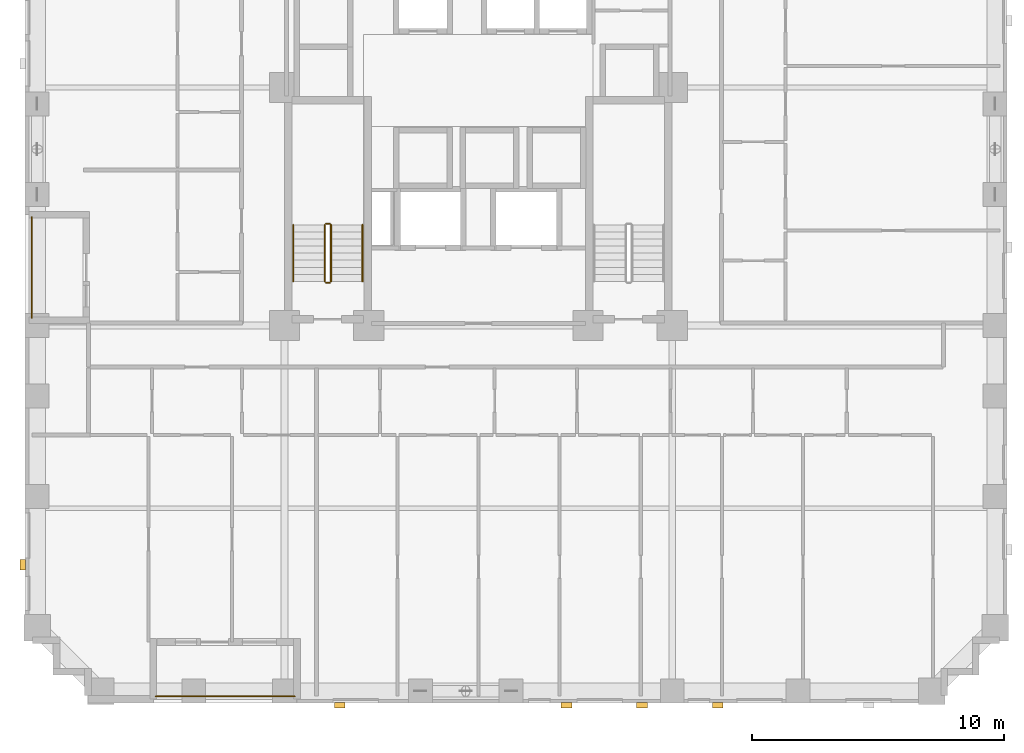
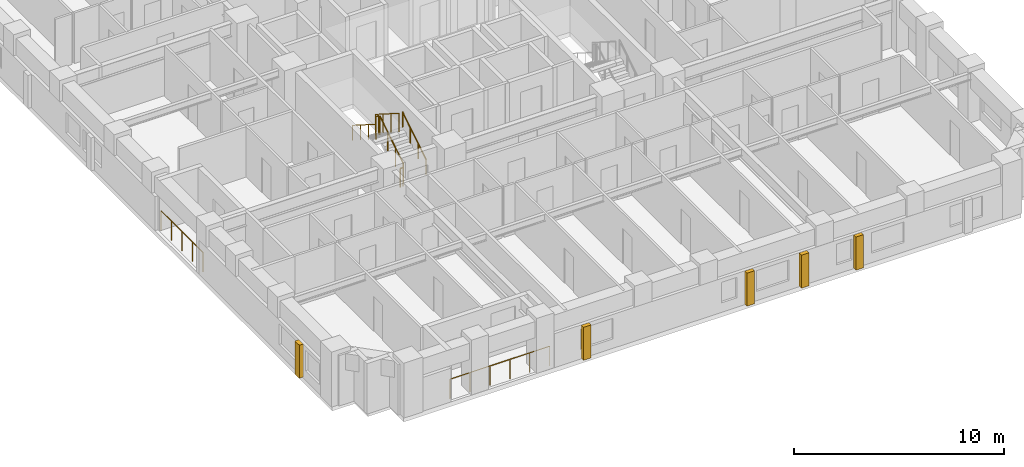
# One storey, part 12 of 14: 8 railings, 5 coverings.
"""IFC4 building model written with IfcOpenShell, lengths in metres."""

from ifc_helpers import new_model, si_unit, derived_unit, direction, frame, origin, origin_2d, place, context, subcontext, project, spatial, rectangle, circle, extrude, material, layer, layer_set, type_object, element, save


model = new_model("IFC4")

# Units and contexts
model_context = context("Model", 3, precision=1e-05, world=origin(), true_north=direction((0.0, 1.0)))
body_context = subcontext(model_context, "Body", "Model", "MODEL_VIEW")
ifc_project = project(units=[si_unit("LENGTHUNIT", "METRE"), si_unit("AREAUNIT", "SQUARE_METRE"), si_unit("VOLUMEUNIT", "CUBIC_METRE"), si_unit("PLANEANGLEUNIT", "RADIAN"), si_unit("MASSUNIT", "GRAM", prefix="KILO"), derived_unit("THERMALTRANSMITTANCEUNIT", [(si_unit("MASSUNIT", "GRAM", prefix="KILO"), 1), (si_unit("TIMEUNIT", "SECOND"), -3), (si_unit("THERMODYNAMICTEMPERATUREUNIT", "KELVIN"), -1)])], contexts=[model_context])

# Site, building, storey
site_placement = place(None, origin())
site = spatial("IfcSite", under=ifc_project, at=site_placement, CompositionType="ELEMENT")
building_placement = place(site_placement, origin())
building = spatial("IfcBuilding", under=site, at=building_placement, Name="Korrvale Station Residences", CompositionType="ELEMENT")
storey_placement = place(building_placement, frame((0.0, 0.0, 41.800048828125)))
storey = spatial("IfcBuildingStorey", under=building, at=storey_placement, Name="L10", CompositionType="ELEMENT", Elevation=41.800048828125)

# Coverings
ifc_material_1 = material(Name="Architectural precast concrete C45/55", Category="concrete")
ifc_layer = layer(ifc_material_1, 0.219970703125, Name="Architectural precast concrete C45/55")
ifc_layer_set = layer_set([ifc_layer], Name="Architectural precast concrete C45/55")
covering_type = type_object("IfcCoveringType", Name="COV-PIER-400", PredefinedType="CLADDING", material=ifc_layer_set)
for number, where, z_axis, x_axis, name in (
    (1, (35.0, -0.090087890625, 0.02490234375), (0.0, 0.0, 1.0), (1.0, 0.0, 0.0), "L10 Architectural Precast Facade Pier 02"),
    (2, (32.0, -0.090087890625, 0.02490234375), (0.0, 0.0, 1.0), (1.0, 0.0, 0.0), "L10 Architectural Precast Facade Pier 03"),
    (3, (29.0, -0.090087890625, 0.02490234375), (0.0, 0.0, 1.0), (1.0, 0.0, 0.0), "L10 Architectural Precast Facade Pier 04"),
    (4, (20.0, -0.090087890625, 0.02490234375), (0.0, 0.0, 1.0), (1.0, 0.0, 0.0), "L10 Architectural Precast Facade Pier 05"),
    (5, (7.409912109375, 5.5, 0.02490234375), (0.0, 0.0, 1.0), (0.0, 1.0, 0.0), "L10 Architectural Precast Facade Pier 12"),
):
    element("IfcCovering", number, at=place(storey_placement, frame(where, z_axis=z_axis, x_axis=x_axis)), inside=storey, type_object=covering_type, Name=name, PredefinedType="CLADDING", context=body_context, shape_type="SweptSolid", body=[
        extrude(rectangle(XDim=0.419921875, YDim=0.219970703125, at=origin_2d()), origin(), (0.0, 0.0, 1.0), 1.925048828125),
    ])

# Railings
ifc_material_2 = material(Name="Powder-coated aluminium picket loggia guard", Category="aluminium")
railing_type_1 = type_object("IfcRailingType", Name="RLG-BAL-1150", PredefinedType="GUARDRAIL", material=ifc_material_2)
railing_1_placement = place(storey_placement, frame((12.699951171875, 0.27001953125, 0.0)))
element("IfcRailing", 6, at=railing_1_placement, inside=storey, type_object=railing_type_1, Name="L10 Recessed Loggia Guardrail BAL-L10-S1", PredefinedType="GUARDRAIL", context=body_context, shape_type="SweptSolid", body=[
    extrude(circle(Radius=0.02392578125, at=origin_2d()), frame((0.0, 0.0, 1.1259765625), z_axis=(1.0, 0.0, 0.0), x_axis=(0.0, 1.0, 0.0)), (0.0, 0.0, 1.0), 5.5),
    extrude(circle(Radius=0.02099609375, at=origin_2d()), origin(), (0.0, 0.0, 1.0), 1.101806640625),
    extrude(circle(Radius=0.02099609375, at=origin_2d()), frame((1.10009765625, 0.0, 0.0)), (0.0, 0.0, 1.0), 1.101806640625),
    extrude(circle(Radius=0.02099609375, at=origin_2d()), frame((2.199951171875, 0.0, 0.0)), (0.0, 0.0, 1.0), 1.101806640625),
    extrude(circle(Radius=0.02099609375, at=origin_2d()), frame((3.300048828125, 0.0, 0.0)), (0.0, 0.0, 1.0), 1.101806640625),
    extrude(circle(Radius=0.02099609375, at=origin_2d()), frame((4.39990234375, 0.0, 0.0)), (0.0, 0.0, 1.0), 1.101806640625),
    extrude(circle(Radius=0.02099609375, at=origin_2d()), frame((5.5, 0.0, 0.0)), (0.0, 0.0, 1.0), 1.101806640625),
])
railing_2_placement = place(storey_placement, frame((7.77001953125, 15.300048828125, 0.0)))
element("IfcRailing", 7, at=railing_2_placement, inside=storey, type_object=railing_type_1, Name="L10 Recessed Loggia Guardrail BAL-L10-W1", PredefinedType="GUARDRAIL", context=body_context, shape_type="SweptSolid", body=[
    extrude(circle(Radius=0.02392578125, at=origin_2d()), frame((0.0, 0.0, 1.1259765625), z_axis=(0.0, 1.0, 0.0), x_axis=(-1.0, 0.0, 0.0)), (0.0, 0.0, 1.0), 4.0),
    extrude(circle(Radius=0.02099609375, at=origin_2d()), origin(), (0.0, 0.0, 1.0), 1.101806640625),
    extrude(circle(Radius=0.02099609375, at=origin_2d()), frame((0.0, 1.0, 0.0)), (0.0, 0.0, 1.0), 1.101806640625),
    extrude(circle(Radius=0.02099609375, at=origin_2d()), frame((0.0, 2.0, 0.0)), (0.0, 0.0, 1.0), 1.101806640625),
    extrude(circle(Radius=0.02099609375, at=origin_2d()), frame((0.0, 3.0, 0.0)), (0.0, 0.0, 1.0), 1.101806640625),
    extrude(circle(Radius=0.02099609375, at=origin_2d()), frame((0.0, 4.0, 0.0)), (0.0, 0.0, 1.0), 1.101806640625),
])
ifc_material_3 = material(Name="Brushed stainless-steel continuous stair handrail", Category="steel")
railing_type_2 = type_object("IfcRailingType", Name="RLG-SHND-900", PredefinedType="HANDRAIL", material=ifc_material_3)
railing_3_placement = place(storey_placement, frame((20.89990234375, 16.75, 0.177734375)))
element("IfcRailing", 8, at=railing_3_placement, inside=storey, type_object=railing_type_2, Name="L10 ST-1 stair handrail 1", PredefinedType="HANDRAIL", context=body_context, shape_type="SweptSolid", body=[
    extrude(circle(Radius=0.02392578125, at=origin_2d()), frame((0.0, 0.0, 0.8759765625), z_axis=(0.0, 0.8442293374, 0.53598211339), x_axis=(-1.0, 0.0, 0.0)), (0.0, 0.0, 1.0), 2.6533203125),
    extrude(circle(Radius=0.02099609375, at=origin_2d()), origin(), (0.0, 0.0, 1.0), 0.851806640625),
    extrude(circle(Radius=0.02099609375, at=origin_2d()), frame((0.0, 0.74658203125, 0.47412109375)), (0.0, 0.0, 1.0), 0.851806640625),
    extrude(circle(Radius=0.02099609375, at=origin_2d()), frame((0.0, 1.493408203125, 0.947998046875)), (0.0, 0.0, 1.0), 0.851806640625),
    extrude(circle(Radius=0.02099609375, at=origin_2d()), frame((0.0, 2.239990234375, 1.422119140625)), (0.0, 0.0, 1.0), 0.851806640625),
])
railing_4_placement = place(storey_placement, frame((18.14990234375, 18.989990234375, 1.77783203125)))
element("IfcRailing", 9, at=railing_4_placement, inside=storey, type_object=railing_type_2, Name="L10 ST-1 stair handrail 2", PredefinedType="HANDRAIL", context=body_context, shape_type="SweptSolid", body=[
    extrude(circle(Radius=0.02392578125, at=origin_2d()), frame((0.0, 0.0, 0.8759765625), z_axis=(0.0, -0.8442293374, 0.53598211339), x_axis=(1.0, 0.0, 0.0)), (0.0, 0.0, 1.0), 2.6533203125),
    extrude(circle(Radius=0.02099609375, at=origin_2d()), origin(), (0.0, 0.0, 1.0), 0.851806640625),
    extrude(circle(Radius=0.02099609375, at=origin_2d()), frame((0.0, -0.74658203125, 0.47412109375)), (0.0, 0.0, 1.0), 0.851806640625),
    extrude(circle(Radius=0.02099609375, at=origin_2d()), frame((0.0, -1.493408203125, 0.947998046875)), (0.0, 0.0, 1.0), 0.851806640625),
    extrude(circle(Radius=0.02099609375, at=origin_2d()), frame((0.0, -2.239990234375, 1.422119140625)), (0.0, 0.0, 1.0), 0.851806640625),
])
ifc_material_4 = material(Name="Galvanised painted tubular steel stair guard", Category="steel")
railing_type_3 = type_object("IfcRailingType", Name="RLG-STR-1100", PredefinedType="GUARDRAIL", material=ifc_material_4)
railing_5_placement = place(storey_placement, frame((19.64990234375, 16.75, 0.177734375)))
element("IfcRailing", 10, at=railing_5_placement, inside=storey, type_object=railing_type_3, Name="L10 ST-1 stair guard 1", PredefinedType="GUARDRAIL", context=body_context, shape_type="SweptSolid", body=[
    extrude(circle(Radius=0.02392578125, at=origin_2d()), frame((0.0, 0.0, 1.076171875), z_axis=(0.0, 0.8442293374, 0.53598211339), x_axis=(-1.0, 0.0, 0.0)), (0.0, 0.0, 1.0), 2.6533203125),
    extrude(circle(Radius=0.02099609375, at=origin_2d()), origin(), (0.0, 0.0, 1.0), 1.052001953125),
    extrude(circle(Radius=0.02099609375, at=origin_2d()), frame((0.0, 0.74658203125, 0.47412109375)), (0.0, 0.0, 1.0), 1.052001953125),
    extrude(circle(Radius=0.02099609375, at=origin_2d()), frame((0.0, 1.493408203125, 0.947998046875)), (0.0, 0.0, 1.0), 1.052001953125),
    extrude(circle(Radius=0.02099609375, at=origin_2d()), frame((0.0, 2.239990234375, 1.422119140625)), (0.0, 0.0, 1.0), 1.052001953125),
])
railing_6_placement = place(storey_placement, frame((19.60009765625, 19.0400390625, 1.599853515625)))
element("IfcRailing", 11, at=railing_6_placement, inside=storey, type_object=railing_type_3, Name="L10 ST-1 stair guard 2", PredefinedType="GUARDRAIL", context=body_context, shape_type="SweptSolid", body=[
    extrude(circle(Radius=0.02392578125, at=origin_2d()), frame((0.0, 0.0, 1.076171875), z_axis=(-1.0, 0.0, 0.0), x_axis=(0.0, -1.0, 0.0)), (0.0, 0.0, 1.0), 0.150146484375),
    extrude(circle(Radius=0.02099609375, at=origin_2d()), origin(), (0.0, 0.0, 1.0), 1.052001953125),
    extrude(circle(Radius=0.02099609375, at=origin_2d()), frame((-0.150146484375, 0.0, 0.0)), (0.0, 0.0, 1.0), 1.052001953125),
])
railing_7_placement = place(storey_placement, frame((19.39990234375, 18.989990234375, 1.77783203125)))
element("IfcRailing", 12, at=railing_7_placement, inside=storey, type_object=railing_type_3, Name="L10 ST-1 stair guard 3", PredefinedType="GUARDRAIL", context=body_context, shape_type="SweptSolid", body=[
    extrude(circle(Radius=0.02392578125, at=origin_2d()), frame((0.0, 0.0, 1.076171875), z_axis=(0.0, -0.8442293374, 0.53598211339), x_axis=(1.0, 0.0, 0.0)), (0.0, 0.0, 1.0), 2.6533203125),
    extrude(circle(Radius=0.02099609375, at=origin_2d()), origin(), (0.0, 0.0, 1.0), 1.052001953125),
    extrude(circle(Radius=0.02099609375, at=origin_2d()), frame((0.0, -0.74658203125, 0.47412109375)), (0.0, 0.0, 1.0), 1.052001953125),
    extrude(circle(Radius=0.02099609375, at=origin_2d()), frame((0.0, -1.493408203125, 0.947998046875)), (0.0, 0.0, 1.0), 1.052001953125),
    extrude(circle(Radius=0.02099609375, at=origin_2d()), frame((0.0, -2.239990234375, 1.422119140625)), (0.0, 0.0, 1.0), 1.052001953125),
])
railing_8_placement = place(storey_placement, frame((19.60009765625, 16.699951171875, 0.0)))
element("IfcRailing", 13, at=railing_8_placement, inside=storey, type_object=railing_type_3, Name="L10 ST-1 stair guard 4", PredefinedType="GUARDRAIL", context=body_context, shape_type="SweptSolid", body=[
    extrude(circle(Radius=0.02392578125, at=origin_2d()), frame((0.0, 0.0, 1.076171875), z_axis=(-1.0, 0.0, 0.0), x_axis=(0.0, -1.0, 0.0)), (0.0, 0.0, 1.0), 0.150146484375),
    extrude(circle(Radius=0.02099609375, at=origin_2d()), origin(), (0.0, 0.0, 1.0), 1.052001953125),
    extrude(circle(Radius=0.02099609375, at=origin_2d()), frame((-0.150146484375, 0.0, 0.0)), (0.0, 0.0, 1.0), 1.052001953125),
])

save(model, "model.ifc")
